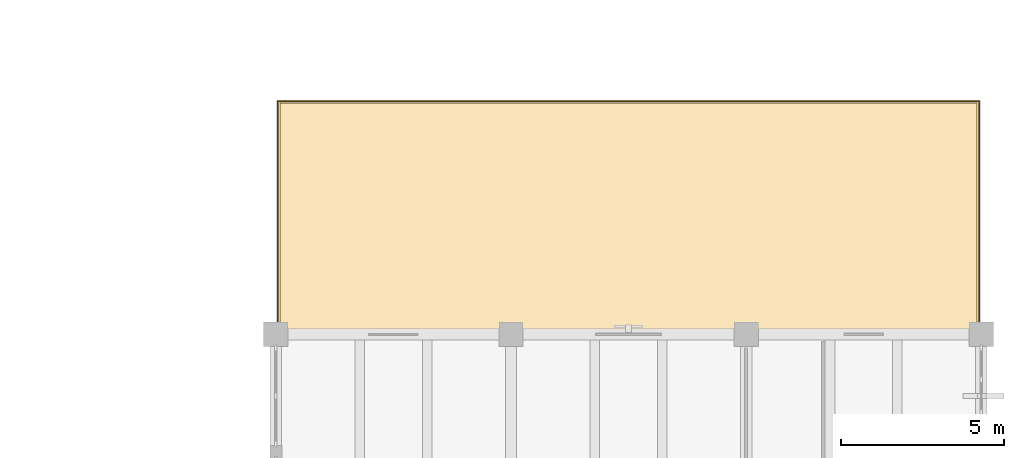
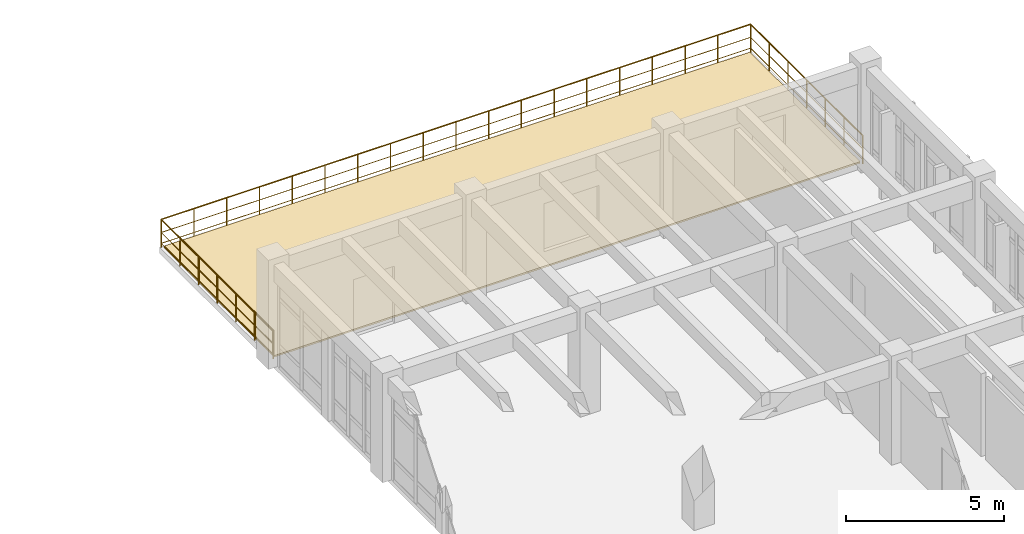
# One storey, part 136 of 136: 3 railings, 1 covering.
"""IFC4 building model written with IfcOpenShell, lengths in metres."""

from ifc_helpers import new_model, si_unit, direction, frame, origin, origin_2d, place, context, subcontext, project, spatial, polyline, circle, outline, extrude, material, layer, layer_set, type_object, element, save


model = new_model("IFC4")

# Units and contexts
model_context = context("Model", 3, precision=1e-05, world=origin(), true_north=direction((0.0, 1.0)))
body_context = subcontext(model_context, "Body", "Model", "MODEL_VIEW")
ifc_project = project(units=[si_unit("LENGTHUNIT", "METRE"), si_unit("AREAUNIT", "SQUARE_METRE"), si_unit("VOLUMEUNIT", "CUBIC_METRE"), si_unit("PLANEANGLEUNIT", "RADIAN"), si_unit("MASSUNIT", "GRAM", prefix="KILO")], contexts=[model_context])

# Site, building, storey
site_placement = place(None, origin())
site = spatial("IfcSite", under=ifc_project, at=site_placement, CompositionType="ELEMENT")
building_placement = place(site_placement, origin())
building = spatial("IfcBuilding", under=site, at=building_placement, Name="Koriwan Promenade Central Fire Station", CompositionType="ELEMENT")
storey_placement = place(building_placement, frame((0.0, 0.0, 5.39990234375)))
storey = spatial("IfcBuildingStorey", under=building, at=storey_placement, Name="L01", CompositionType="ELEMENT", Elevation=5.39990234375)

# Covering
ifc_material_1 = material(Name="Waterproofed xerophytic roof-garden drainage build-up", Category="membrane")
ifc_layer_1 = layer(ifc_material_1, 0.06005859375, Name="Waterproofed xerophytic roof-garden drainage build-up")
ifc_layer_set_1 = layer_set([ifc_layer_1], Name="Waterproofed xerophytic roof-garden drainage build-up")
covering_type = type_object("IfcCoveringType", Name="RoofCovering_Garden", PredefinedType="ROOFING", material=ifc_layer_set_1)
covering_placement = place(storey_placement, origin())
element("IfcCovering", 1, at=covering_placement, inside=storey, type_object=covering_type, Name="North Training Gallery Terrace waterproofed garden build-up", PredefinedType="ROOFING", context=body_context, shape_type="SweptSolid", body=[
    extrude(outline(polyline([(172.679931640625, 72.1201171875), (151.320068359375, 72.1201171875), (151.320068359375, 79.080078125), (172.679931640625, 79.080078125), (172.679931640625, 72.1201171875)])), origin(), (0.0, 0.0, 1.0), 0.06005859375),
])

# Railings
ifc_material_2 = material(Name="Steel ASTM A500 Grade C", Category="steel")
ifc_layer_2 = layer(ifc_material_2, 0.06005859375, Name="Steel ASTM A500 Grade C")
ifc_layer_set_2 = layer_set([ifc_layer_2], Name="Steel ASTM A500 Grade C")
railing_type = type_object("IfcRailingType", Name="TerraceGuard_1100", PredefinedType="BALUSTRADE", material=ifc_layer_set_2)
railing_1_placement = place(storey_placement, frame((151.260009765625, 72.06005859375, 0.0)))
element("IfcRailing", 2, at=railing_1_placement, inside=storey, type_object=railing_type, Name="North Training Gallery Terrace protective balustrade 011", PredefinedType="BALUSTRADE", context=body_context, shape_type="SweptSolid", body=[
    extrude(circle(Radius=0.02392578125, at=origin_2d()), frame((0.0, 0.0, 1.076171875), z_axis=(0.0, 1.0, 0.0), x_axis=(-1.0, 0.0, 0.0)), (0.0, 0.0, 1.0), 7.079833984375),
    extrude(circle(Radius=0.012939453125, at=origin_2d()), frame((0.0, 0.0, 0.572021484375), z_axis=(0.0, 1.0, 0.0), x_axis=(-1.0, 0.0, 0.0)), (0.0, 0.0, 1.0), 7.079833984375),
    extrude(circle(Radius=0.012939453125, at=origin_2d()), frame((0.0, 0.0, 0.154052734375), z_axis=(0.0, 1.0, 0.0), x_axis=(-1.0, 0.0, 0.0)), (0.0, 0.0, 1.0), 7.079833984375),
    extrude(circle(Radius=0.02099609375, at=origin_2d()), origin(), (0.0, 0.0, 1.0), 1.052001953125),
    extrude(circle(Radius=0.02099609375, at=origin_2d()), frame((0.0, 1.179931640625, 0.0)), (0.0, 0.0, 1.0), 1.052001953125),
    extrude(circle(Radius=0.02099609375, at=origin_2d()), frame((0.0, 2.35986328125, 0.0)), (0.0, 0.0, 1.0), 1.052001953125),
    extrude(circle(Radius=0.02099609375, at=origin_2d()), frame((0.0, 3.5400390625, 0.0)), (0.0, 0.0, 1.0), 1.052001953125),
    extrude(circle(Radius=0.02099609375, at=origin_2d()), frame((0.0, 4.719970703125, 0.0)), (0.0, 0.0, 1.0), 1.052001953125),
    extrude(circle(Radius=0.02099609375, at=origin_2d()), frame((0.0, 5.89990234375, 0.0)), (0.0, 0.0, 1.0), 1.052001953125),
    extrude(circle(Radius=0.02099609375, at=origin_2d()), frame((0.0, 7.079833984375, 0.0)), (0.0, 0.0, 1.0), 1.052001953125),
])
railing_2_placement = place(storey_placement, frame((151.260009765625, 79.139892578125, 0.0)))
element("IfcRailing", 3, at=railing_2_placement, inside=storey, type_object=railing_type, Name="North Training Gallery Terrace protective balustrade 012", PredefinedType="BALUSTRADE", context=body_context, shape_type="SweptSolid", body=[
    extrude(circle(Radius=0.02392578125, at=origin_2d()), frame((0.0, 0.0, 1.076171875), z_axis=(1.0, 0.0, 0.0), x_axis=(0.0, 1.0, 0.0)), (0.0, 0.0, 1.0), 21.47998046875),
    extrude(circle(Radius=0.012939453125, at=origin_2d()), frame((0.0, 0.0, 0.572021484375), z_axis=(1.0, 0.0, 0.0), x_axis=(0.0, 1.0, 0.0)), (0.0, 0.0, 1.0), 21.47998046875),
    extrude(circle(Radius=0.012939453125, at=origin_2d()), frame((0.0, 0.0, 0.154052734375), z_axis=(1.0, 0.0, 0.0), x_axis=(0.0, 1.0, 0.0)), (0.0, 0.0, 1.0), 21.47998046875),
    extrude(circle(Radius=0.02099609375, at=origin_2d()), origin(), (0.0, 0.0, 1.0), 1.052001953125),
    extrude(circle(Radius=0.02099609375, at=origin_2d()), frame((1.193359375, 0.0, 0.0)), (0.0, 0.0, 1.0), 1.052001953125),
    extrude(circle(Radius=0.02099609375, at=origin_2d()), frame((2.38671875, 0.0, 0.0)), (0.0, 0.0, 1.0), 1.052001953125),
    extrude(circle(Radius=0.02099609375, at=origin_2d()), frame((3.580078125, 0.0, 0.0)), (0.0, 0.0, 1.0), 1.052001953125),
    extrude(circle(Radius=0.02099609375, at=origin_2d()), frame((4.7734375, 0.0, 0.0)), (0.0, 0.0, 1.0), 1.052001953125),
    extrude(circle(Radius=0.02099609375, at=origin_2d()), frame((5.966552734375, 0.0, 0.0)), (0.0, 0.0, 1.0), 1.052001953125),
    extrude(circle(Radius=0.02099609375, at=origin_2d()), frame((7.159912109375, 0.0, 0.0)), (0.0, 0.0, 1.0), 1.052001953125),
    extrude(circle(Radius=0.02099609375, at=origin_2d()), frame((8.353271484375, 0.0, 0.0)), (0.0, 0.0, 1.0), 1.052001953125),
    extrude(circle(Radius=0.02099609375, at=origin_2d()), frame((9.546630859375, 0.0, 0.0)), (0.0, 0.0, 1.0), 1.052001953125),
    extrude(circle(Radius=0.02099609375, at=origin_2d()), frame((10.739990234375, 0.0, 0.0)), (0.0, 0.0, 1.0), 1.052001953125),
    extrude(circle(Radius=0.02099609375, at=origin_2d()), frame((11.933349609375, 0.0, 0.0)), (0.0, 0.0, 1.0), 1.052001953125),
    extrude(circle(Radius=0.02099609375, at=origin_2d()), frame((13.126708984375, 0.0, 0.0)), (0.0, 0.0, 1.0), 1.052001953125),
    extrude(circle(Radius=0.02099609375, at=origin_2d()), frame((14.320068359375, 0.0, 0.0)), (0.0, 0.0, 1.0), 1.052001953125),
    extrude(circle(Radius=0.02099609375, at=origin_2d()), frame((15.513427734375, 0.0, 0.0)), (0.0, 0.0, 1.0), 1.052001953125),
    extrude(circle(Radius=0.02099609375, at=origin_2d()), frame((16.70654296875, 0.0, 0.0)), (0.0, 0.0, 1.0), 1.052001953125),
    extrude(circle(Radius=0.02099609375, at=origin_2d()), frame((17.89990234375, 0.0, 0.0)), (0.0, 0.0, 1.0), 1.052001953125),
    extrude(circle(Radius=0.02099609375, at=origin_2d()), frame((19.09326171875, 0.0, 0.0)), (0.0, 0.0, 1.0), 1.052001953125),
    extrude(circle(Radius=0.02099609375, at=origin_2d()), frame((20.28662109375, 0.0, 0.0)), (0.0, 0.0, 1.0), 1.052001953125),
    extrude(circle(Radius=0.02099609375, at=origin_2d()), frame((21.47998046875, 0.0, 0.0)), (0.0, 0.0, 1.0), 1.052001953125),
])
railing_3_placement = place(storey_placement, frame((172.739990234375, 79.139892578125, 0.0)))
element("IfcRailing", 4, at=railing_3_placement, inside=storey, type_object=railing_type, Name="North Training Gallery Terrace protective balustrade 013", PredefinedType="BALUSTRADE", context=body_context, shape_type="SweptSolid", body=[
    extrude(circle(Radius=0.02392578125, at=origin_2d()), frame((0.0, 0.0, 1.076171875), z_axis=(0.0, -1.0, 0.0), x_axis=(1.0, 0.0, 0.0)), (0.0, 0.0, 1.0), 7.079833984375),
    extrude(circle(Radius=0.012939453125, at=origin_2d()), frame((0.0, 0.0, 0.572021484375), z_axis=(0.0, -1.0, 0.0), x_axis=(1.0, 0.0, 0.0)), (0.0, 0.0, 1.0), 7.079833984375),
    extrude(circle(Radius=0.012939453125, at=origin_2d()), frame((0.0, 0.0, 0.154052734375), z_axis=(0.0, -1.0, 0.0), x_axis=(1.0, 0.0, 0.0)), (0.0, 0.0, 1.0), 7.079833984375),
    extrude(circle(Radius=0.02099609375, at=origin_2d()), origin(), (0.0, 0.0, 1.0), 1.052001953125),
    extrude(circle(Radius=0.02099609375, at=origin_2d()), frame((0.0, -1.179931640625, 0.0)), (0.0, 0.0, 1.0), 1.052001953125),
    extrude(circle(Radius=0.02099609375, at=origin_2d()), frame((0.0, -2.35986328125, 0.0)), (0.0, 0.0, 1.0), 1.052001953125),
    extrude(circle(Radius=0.02099609375, at=origin_2d()), frame((0.0, -3.5400390625, 0.0)), (0.0, 0.0, 1.0), 1.052001953125),
    extrude(circle(Radius=0.02099609375, at=origin_2d()), frame((0.0, -4.719970703125, 0.0)), (0.0, 0.0, 1.0), 1.052001953125),
    extrude(circle(Radius=0.02099609375, at=origin_2d()), frame((0.0, -5.89990234375, 0.0)), (0.0, 0.0, 1.0), 1.052001953125),
    extrude(circle(Radius=0.02099609375, at=origin_2d()), frame((0.0, -7.079833984375, 0.0)), (0.0, 0.0, 1.0), 1.052001953125),
])

save(model, "model.ifc")
